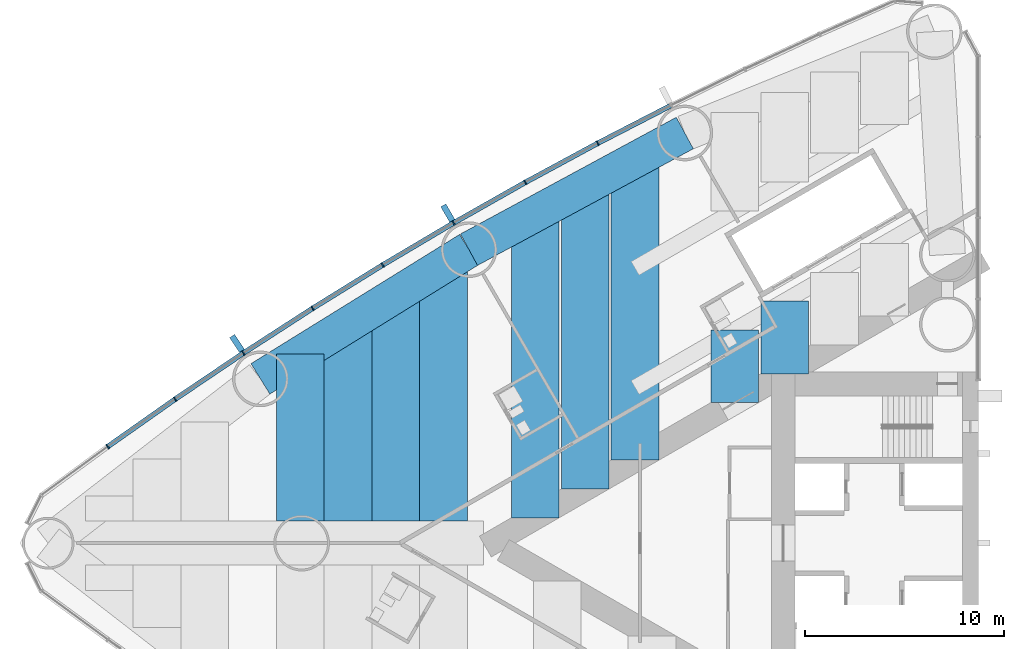
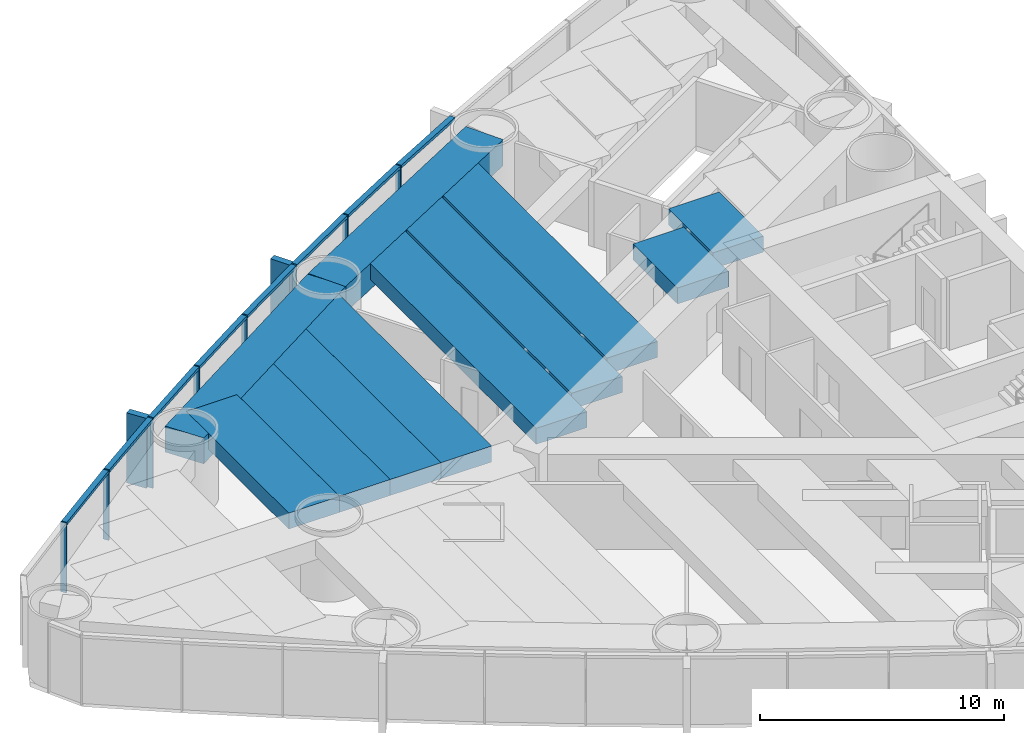
# One storey, part 4 of 19: 18 members, 11 beams, 1 element without a shape of its own.
"""IFC4 building model written with IfcOpenShell, lengths in metres."""

from ifc_helpers import new_model, si_unit, direction, frame, origin, origin_2d, place, context, subcontext, project, spatial, rectangle, extrude, material, material_profile, profile_set, type_object, element, aggregate, save


model = new_model("IFC4")

# Units and contexts
model_context = context("Model", 3, precision=1e-05, world=origin(), true_north=direction((0.0, 1.0)))
body_context = subcontext(model_context, "Body", "Model", "MODEL_VIEW")
ifc_project = project(units=[si_unit("LENGTHUNIT", "METRE"), si_unit("AREAUNIT", "SQUARE_METRE"), si_unit("VOLUMEUNIT", "CUBIC_METRE"), si_unit("PLANEANGLEUNIT", "RADIAN"), si_unit("MASSUNIT", "GRAM", prefix="KILO")], contexts=[model_context])

# Site, building, storey
site_placement = place(None, origin())
site = spatial("IfcSite", under=ifc_project, at=site_placement, CompositionType="ELEMENT")
building_placement = place(site_placement, origin())
building = spatial("IfcBuilding", under=site, at=building_placement, Name="Lancet Gate Hotel", CompositionType="ELEMENT")
storey_placement = place(building_placement, frame((0.0, 0.0, 39.0)))
storey = spatial("IfcBuildingStorey", under=building, at=storey_placement, Name="L09", CompositionType="ELEMENT", Elevation=39.0)

# Curtain wall, members
ifc_material_1 = material(Name="Aluminium curtain wall", Category="aluminium")
curtain_wall_type = type_object("IfcCurtainWallType", Name="Tower unitised curtain wall", PredefinedType="USERDEFINED", material=ifc_material_1)
curtain_wall_placement = place(storey_placement, origin())
curtain_wall = element("IfcCurtainWall", 1, at=curtain_wall_placement, inside=storey, type_object=curtain_wall_type, Name="T1 L09 curtain wall 2", ObjectType="UNITISED CURTAIN WALL", PredefinedType="USERDEFINED")
ifc_material_2 = material(Name="Aluminium mullion", Category="aluminium")
ifc_material_profile_1 = material_profile(ifc_material_2, rectangle(XDim=0.06494140625, YDim=0.25, at=origin_2d()), Name="MULLION 65x250")
ifc_profile_set_1 = profile_set([ifc_material_profile_1], Name="Aluminium mullion")
member_type_1 = type_object("IfcMemberType", Name="Aluminium mullion 65x250", PredefinedType="MULLION", material=ifc_profile_set_1)
member_1_placement = place(storey_placement, frame((-46.6220703125, 20.094970703125, 0.0), z_axis=(0.0, 0.0, 1.0), x_axis=(-0.884311132302, -0.466898084475, 0.0)))
member_1 = element("IfcMember", 2, at=member_1_placement, type_object=member_type_1, Name="T1 L09 curtain wall 2 mullion 6", PredefinedType="MULLION", context=body_context, shape_type="SweptSolid", body=[
    extrude(rectangle(XDim=0.06494140625, YDim=0.25, at=origin_2d()), origin(), (0.0, 0.0, 1.0), 3.5),
])
member_2_placement = place(storey_placement, frame((-50.26416015625, 18.1259765625, 0.0), z_axis=(0.0, 0.0, 1.0), x_axis=(-0.874991035403, -0.484139120464, 0.0)))
member_2 = element("IfcMember", 3, at=member_2_placement, type_object=member_type_1, Name="T1 L09 curtain wall 2 mullion 7", PredefinedType="MULLION", context=body_context, shape_type="SweptSolid", body=[
    extrude(rectangle(XDim=0.06494140625, YDim=0.25, at=origin_2d()), origin(), (0.0, 0.0, 1.0), 3.5),
])
member_3_placement = place(storey_placement, frame((-53.866943359375, 16.086181640625, 0.0), z_axis=(0.0, 0.0, 1.0), x_axis=(-0.86533483912, -0.501194190115, 0.0)))
member_3 = element("IfcMember", 4, at=member_3_placement, type_object=member_type_1, Name="T1 L09 curtain wall 2 mullion 8", PredefinedType="MULLION", context=body_context, shape_type="SweptSolid", body=[
    extrude(rectangle(XDim=0.06494140625, YDim=0.25, at=origin_2d()), origin(), (0.0, 0.0, 1.0), 3.5),
])
member_4_placement = place(storey_placement, frame((-57.42919921875, 13.97607421875, 0.0), z_axis=(0.0, 0.0, 1.0), x_axis=(-0.855346252548, -0.518056742309, 0.0)))
member_4 = element("IfcMember", 5, at=member_4_placement, type_object=member_type_1, Name="T1 L09 curtain wall 2 mullion 9", PredefinedType="MULLION", context=body_context, shape_type="SweptSolid", body=[
    extrude(rectangle(XDim=0.06494140625, YDim=0.25, at=origin_2d()), origin(), (0.0, 0.0, 1.0), 3.5),
])
member_5_placement = place(storey_placement, frame((-60.949462890625, 11.796630859375, 0.0), z_axis=(0.0, 0.0, 1.0), x_axis=(-0.845029112489, -0.534720299827, 0.0)))
member_5 = element("IfcMember", 6, at=member_5_placement, type_object=member_type_1, Name="T1 L09 curtain wall 2 mullion 10", PredefinedType="MULLION", context=body_context, shape_type="SweptSolid", body=[
    extrude(rectangle(XDim=0.06494140625, YDim=0.25, at=origin_2d()), origin(), (0.0, 0.0, 1.0), 3.5),
])
member_6_placement = place(storey_placement, frame((-64.42626953125, 9.548583984375, 0.0), z_axis=(0.0, 0.0, 1.0), x_axis=(-0.834387381945, -0.55117846189, 0.0)))
member_6 = element("IfcMember", 7, at=member_6_placement, type_object=member_type_1, Name="T1 L09 curtain wall 2 mullion 11", PredefinedType="MULLION", context=body_context, shape_type="SweptSolid", body=[
    extrude(rectangle(XDim=0.06494140625, YDim=0.25, at=origin_2d()), origin(), (0.0, 0.0, 1.0), 3.5),
])
member_7_placement = place(storey_placement, frame((-67.858154296875, 7.232666015625, 0.0), z_axis=(0.0, 0.0, 1.0), x_axis=(-0.823425148573, -0.56742490666, 0.0)))
member_7 = element("IfcMember", 8, at=member_7_placement, type_object=member_type_1, Name="T1 L09 curtain wall 2 mullion 12", PredefinedType="MULLION", context=body_context, shape_type="SweptSolid", body=[
    extrude(rectangle(XDim=0.06494140625, YDim=0.25, at=origin_2d()), origin(), (0.0, 0.0, 1.0), 3.5),
])
member_8_placement = place(storey_placement, frame((-71.244384765625, 4.85009765625, 0.0), z_axis=(0.0, 0.0, 1.0), x_axis=(-0.812146623168, -0.583453393578, 0.0)))
member_8 = element("IfcMember", 9, at=member_8_placement, type_object=member_type_1, Name="T1 L09 curtain wall 2 mullion 13", PredefinedType="MULLION", context=body_context, shape_type="SweptSolid", body=[
    extrude(rectangle(XDim=0.06494140625, YDim=0.25, at=origin_2d()), origin(), (0.0, 0.0, 1.0), 3.5),
])
ifc_material_3 = material(Name="Aluminium transom", Category="aluminium")
ifc_material_profile_2 = material_profile(ifc_material_3, rectangle(XDim=0.25, YDim=0.14990234375, at=origin_2d()), Name="TRANSOM 250x150")
ifc_profile_set_2 = profile_set([ifc_material_profile_2], Name="Aluminium transom")
member_type_2 = type_object("IfcMemberType", Name="Aluminium transom 250x150", PredefinedType="USERDEFINED", material=ifc_profile_set_2)
member_9_placement = place(storey_placement, frame((-42.970703125, 21.97705078125, 3.425048828125), z_axis=(-0.888859972399, -0.458178949175, 0.0), x_axis=(0.458178949175, -0.888859972399, 0.0)))
member_9 = element("IfcMember", 10, at=member_9_placement, type_object=member_type_2, Name="T1 L09 curtain wall 2 transom 5", ObjectType="TRANSOM", PredefinedType="USERDEFINED", context=body_context, shape_type="SweptSolid", body=[
    extrude(rectangle(XDim=0.25, YDim=0.14990234375, at=origin_2d()), origin(), (0.0, 0.0, 1.0), 4.0751953125),
])
member_10_placement = place(storey_placement, frame((-46.650634765625, 20.079345703125, 3.425048828125), z_axis=(-0.87971396408, -0.475503250675, 0.0), x_axis=(0.475503250675, -0.87971396408, 0.0)))
member_10 = element("IfcMember", 11, at=member_10_placement, type_object=member_type_2, Name="T1 L09 curtain wall 2 transom 6", ObjectType="TRANSOM", PredefinedType="USERDEFINED", context=body_context, shape_type="SweptSolid", body=[
    extrude(rectangle(XDim=0.25, YDim=0.14990234375, at=origin_2d()), origin(), (0.0, 0.0, 1.0), 4.0751953125),
])
member_11_placement = place(storey_placement, frame((-50.29248046875, 18.110107421875, 3.425048828125), z_axis=(-0.870197729943, -0.492702659625, 0.0), x_axis=(0.492702659625, -0.870197729943, 0.0)))
member_11 = element("IfcMember", 12, at=member_11_placement, type_object=member_type_2, Name="T1 L09 curtain wall 2 transom 7", ObjectType="TRANSOM", PredefinedType="USERDEFINED", context=body_context, shape_type="SweptSolid", body=[
    extrude(rectangle(XDim=0.25, YDim=0.14990234375, at=origin_2d()), origin(), (0.0, 0.0, 1.0), 4.0751953125),
])
member_12_placement = place(storey_placement, frame((-53.89501953125, 16.069580078125, 3.425048828125), z_axis=(-0.86039174806, -0.509633240547, 0.0), x_axis=(0.509633240547, -0.86039174806, 0.0)))
member_12 = element("IfcMember", 13, at=member_12_placement, type_object=member_type_2, Name="T1 L09 curtain wall 2 transom 8", ObjectType="TRANSOM", PredefinedType="USERDEFINED", context=body_context, shape_type="SweptSolid", body=[
    extrude(rectangle(XDim=0.25, YDim=0.14990234375, at=origin_2d()), origin(), (0.0, 0.0, 1.0), 4.0751953125),
])
member_13_placement = place(storey_placement, frame((-57.456787109375, 13.958984375, 3.425048828125), z_axis=(-0.850242165643, -0.526391736032, 0.0), x_axis=(0.526391736032, -0.850242165643, 0.0)))
member_13 = element("IfcMember", 14, at=member_13_placement, type_object=member_type_2, Name="T1 L09 curtain wall 2 transom 9", ObjectType="TRANSOM", PredefinedType="USERDEFINED", context=body_context, shape_type="SweptSolid", body=[
    extrude(rectangle(XDim=0.25, YDim=0.14990234375, at=origin_2d()), origin(), (0.0, 0.0, 1.0), 4.075439453125),
])
member_14_placement = place(storey_placement, frame((-60.976806640625, 11.779052734375, 3.425048828125), z_axis=(-0.839729242404, -0.543005340169, 0.0), x_axis=(0.543005340169, -0.839729242404, 0.0)))
member_14 = element("IfcMember", 15, at=member_14_placement, type_object=member_type_2, Name="T1 L09 curtain wall 2 transom 10", ObjectType="TRANSOM", PredefinedType="USERDEFINED", context=body_context, shape_type="SweptSolid", body=[
    extrude(rectangle(XDim=0.25, YDim=0.14990234375, at=origin_2d()), origin(), (0.0, 0.0, 1.0), 4.0751953125),
])
member_15_placement = place(storey_placement, frame((-64.453125, 9.5302734375, 3.425048828125), z_axis=(-0.828959086782, -0.559309245804, 0.0), x_axis=(0.559309245804, -0.828959086782, 0.0)))
member_15 = element("IfcMember", 16, at=member_15_placement, type_object=member_type_2, Name="T1 L09 curtain wall 2 transom 11", ObjectType="TRANSOM", PredefinedType="USERDEFINED", context=body_context, shape_type="SweptSolid", body=[
    extrude(rectangle(XDim=0.25, YDim=0.14990234375, at=origin_2d()), origin(), (0.0, 0.0, 1.0), 4.0751953125),
])
member_16_placement = place(storey_placement, frame((-67.884765625, 7.214111328125, 3.425048828125), z_axis=(-0.817833568345, -0.57545482402, 0.0), x_axis=(0.57545482402, -0.817833568345, 0.0)))
member_16 = element("IfcMember", 17, at=member_16_placement, type_object=member_type_2, Name="T1 L09 curtain wall 2 transom 12", ObjectType="TRANSOM", PredefinedType="USERDEFINED", context=body_context, shape_type="SweptSolid", body=[
    extrude(rectangle(XDim=0.25, YDim=0.14990234375, at=origin_2d()), origin(), (0.0, 0.0, 1.0), 4.075439453125),
])

# Beams
ifc_material_4 = material(Name="Concrete C50/60", Category="concrete")
ifc_material_profile_3 = material_profile(ifc_material_4, rectangle(XDim=1.800048828125, YDim=1.300048828125, at=origin_2d()), Name="RC 1800x1300")
ifc_profile_set_3 = profile_set([ifc_material_profile_3], Name="Concrete C50/60")
beam_type_1 = type_object("IfcBeamType", Name="Edge beam RC 1800x1300", PredefinedType="SPANDREL", material=ifc_profile_set_3)
for number, where, z_axis, x_axis, name in (
    (18, (-42.2451171875, 20.607421875, 2.60009765625), (-0.879692855603, -0.475542300749, 0.0), (0.475542300749, -0.879692855603, 0.0), "T1 edge beam EB1 L09"),
    (19, (-53.090087890625, 14.744873046875, 2.60009765625), (-0.850225894333, -0.526418016984, 0.0), (0.526418016984, -0.850225894333, 0.0), "T1 edge beam EB1 L09"),
):
    element("IfcBeam", number, at=place(storey_placement, frame(where, z_axis=z_axis, x_axis=x_axis)), inside=storey, type_object=beam_type_1, Name=name, PredefinedType="SPANDREL", context=body_context, shape_type="SweptSolid", body=[
        extrude(rectangle(XDim=1.800048828125, YDim=1.300048828125, at=origin_2d()), origin(), (0.0, 0.0, 1.0), 12.328125),
    ])

# Member
ifc_material_5 = material(Name="Precast concrete C50/60", Category="concrete")
ifc_material_profile_4 = material_profile(ifc_material_5, rectangle(XDim=0.300048828125, YDim=0.89990234375, at=origin_2d()), Name="FIN 300x900")
ifc_profile_set_4 = profile_set([ifc_material_profile_4], Name="Precast concrete C50/60")
member_type_3 = type_object("IfcMemberType", Name="Exposed concrete fin 300x900", PredefinedType="USERDEFINED", material=ifc_profile_set_4)
member_17_placement = place(storey_placement, frame((-54.1552734375, 16.583740234375, 0.0), z_axis=(0.0, 0.0, 1.0), x_axis=(-0.86533483912, -0.501194190115, 0.0)))
member_17 = element("IfcMember", 20, at=member_17_placement, type_object=member_type_3, Name="T1 L09 curtain wall 2 fin 8", ObjectType="FIN", PredefinedType="USERDEFINED", context=body_context, shape_type="SweptSolid", body=[
    extrude(rectangle(XDim=0.300048828125, YDim=0.89990234375, at=origin_2d()), origin(), (0.0, 0.0, 1.0), 3.5),
])

member_18_placement = place(storey_placement, frame((-64.7431640625, 10.0283203125, 0.0), z_axis=(0.0, 0.0, 1.0), x_axis=(-0.834387381945, -0.55117846189, 0.0)))
member_18 = element("IfcMember", 21, at=member_18_placement, type_object=member_type_3, Name="T1 L09 curtain wall 2 fin 11", ObjectType="FIN", PredefinedType="USERDEFINED", context=body_context, shape_type="SweptSolid", body=[
    extrude(rectangle(XDim=0.300048828125, YDim=0.89990234375, at=origin_2d()), origin(), (0.0, 0.0, 1.0), 3.5),
])

aggregate(curtain_wall, [member_1, member_2, member_3, member_17, member_4, member_5, member_6, member_18, member_7, member_8, member_9, member_10, member_11, member_12, member_13, member_14, member_15, member_16])

# Beams
ifc_material_6 = material(Name="Concrete C50/60", Category="concrete")
ifc_material_profile_5 = material_profile(ifc_material_6, rectangle(XDim=2.39990234375, YDim=0.800048828125, at=origin_2d()), Name="RC 2400x800")
ifc_profile_set_5 = profile_set([ifc_material_profile_5], Name="Concrete C50/60")
beam_type_2 = type_object("IfcBeamType", Name="Floor beam RC 2400x800", PredefinedType="BEAM", material=ifc_profile_set_5)
beam_1_placement = place(storey_placement, frame((-44.747802734375, 19.254638671875, 2.85009765625), z_axis=(0.0, -1.0, 0.0), x_axis=(1.0, 0.0, 0.0)))
element("IfcBeam", 22, at=beam_1_placement, inside=storey, type_object=beam_type_2, Name="T1 floor beam F09S L09", PredefinedType="BEAM", context=body_context, shape_type="SweptSolid", body=[
    extrude(rectangle(XDim=2.39990234375, YDim=0.800048828125, at=origin_2d()), origin(), (0.0, 0.0, 1.0), 15.0859375),
])
beam_2_placement = place(storey_placement, frame((-47.254638671875, 17.8994140625, 2.85009765625), z_axis=(0.0, -1.0, 0.0), x_axis=(1.0, 0.0, 0.0)))
element("IfcBeam", 23, at=beam_2_placement, inside=storey, type_object=beam_type_2, Name="T1 floor beam F10S L09", PredefinedType="BEAM", context=body_context, shape_type="SweptSolid", body=[
    extrude(rectangle(XDim=2.39990234375, YDim=0.800048828125, at=origin_2d()), origin(), (0.0, 0.0, 1.0), 15.177978515625),
])
beam_3_placement = place(storey_placement, frame((-49.761474609375, 16.54443359375, 2.85009765625), z_axis=(0.0, -1.0, 0.0), x_axis=(1.0, 0.0, 0.0)))
element("IfcBeam", 24, at=beam_3_placement, inside=storey, type_object=beam_type_2, Name="T1 floor beam F12S L09", PredefinedType="BEAM", context=body_context, shape_type="SweptSolid", body=[
    extrude(rectangle(XDim=2.39990234375, YDim=0.800048828125, at=origin_2d()), origin(), (0.0, 0.0, 1.0), 15.270263671875),
])
beam_4_placement = place(storey_placement, frame((-54.3681640625, 13.95361328125, 2.85009765625), z_axis=(0.0, -1.0, 0.0), x_axis=(1.0, 0.0, 0.0)))
element("IfcBeam", 25, at=beam_4_placement, inside=storey, type_object=beam_type_2, Name="T1 floor beam F13S L09", PredefinedType="BEAM", context=body_context, shape_type="SweptSolid", body=[
    extrude(rectangle(XDim=2.39990234375, YDim=0.800048828125, at=origin_2d()), origin(), (0.0, 0.0, 1.0), 12.853515625),
])
beam_5_placement = place(storey_placement, frame((-56.768310546875, 12.467529296875, 2.85009765625), z_axis=(0.0, -1.0, 0.0), x_axis=(1.0, 0.0, 0.0)))
element("IfcBeam", 26, at=beam_5_placement, inside=storey, type_object=beam_type_2, Name="T1 floor beam F15S L09", PredefinedType="BEAM", context=body_context, shape_type="SweptSolid", body=[
    extrude(rectangle(XDim=2.39990234375, YDim=0.800048828125, at=origin_2d()), origin(), (0.0, 0.0, 1.0), 11.367431640625),
])
beam_6_placement = place(storey_placement, frame((-59.168212890625, 10.981689453125, 2.85009765625), z_axis=(0.0, -1.0, 0.0), x_axis=(1.0, 0.0, 0.0)))
element("IfcBeam", 27, at=beam_6_placement, inside=storey, type_object=beam_type_2, Name="T1 floor beam F17S L09", PredefinedType="BEAM", context=body_context, shape_type="SweptSolid", body=[
    extrude(rectangle(XDim=2.39990234375, YDim=0.800048828125, at=origin_2d()), origin(), (0.0, 0.0, 1.0), 9.881591796875),
])
beam_7_placement = place(storey_placement, frame((-61.568359375, 9.495849609375, 2.85009765625), z_axis=(0.0, -1.0, 0.0), x_axis=(1.0, 0.0, 0.0)))
element("IfcBeam", 28, at=beam_7_placement, inside=storey, type_object=beam_type_2, Name="T1 floor beam F19S L09", PredefinedType="BEAM", context=body_context, shape_type="SweptSolid", body=[
    extrude(rectangle(XDim=2.39990234375, YDim=0.800048828125, at=origin_2d()), origin(), (0.0, 0.0, 1.0), 8.395751953125),
])
beam_8_placement = place(storey_placement, frame((-37.227294921875, 12.15625, 2.85009765625), z_axis=(0.0, -1.0, 0.0), x_axis=(1.0, 0.0, 0.0)))
element("IfcBeam", 29, at=beam_8_placement, inside=storey, type_object=beam_type_2, Name="T1 floor beam F05SB L09", PredefinedType="BEAM", context=body_context, shape_type="SweptSolid", body=[
    extrude(rectangle(XDim=2.39990234375, YDim=0.800048828125, at=origin_2d()), origin(), (0.0, 0.0, 1.0), 3.6455078125),
])
beam_9_placement = place(storey_placement, frame((-39.734130859375, 10.708740234375, 2.85009765625), z_axis=(0.0, -1.0, 0.0), x_axis=(1.0, 0.0, 0.0)))
element("IfcBeam", 30, at=beam_9_placement, inside=storey, type_object=beam_type_2, Name="T1 floor beam F07SB L09", PredefinedType="BEAM", context=body_context, shape_type="SweptSolid", body=[
    extrude(rectangle(XDim=2.39990234375, YDim=0.800048828125, at=origin_2d()), origin(), (0.0, 0.0, 1.0), 3.645263671875),
])

save(model, "model.ifc")
